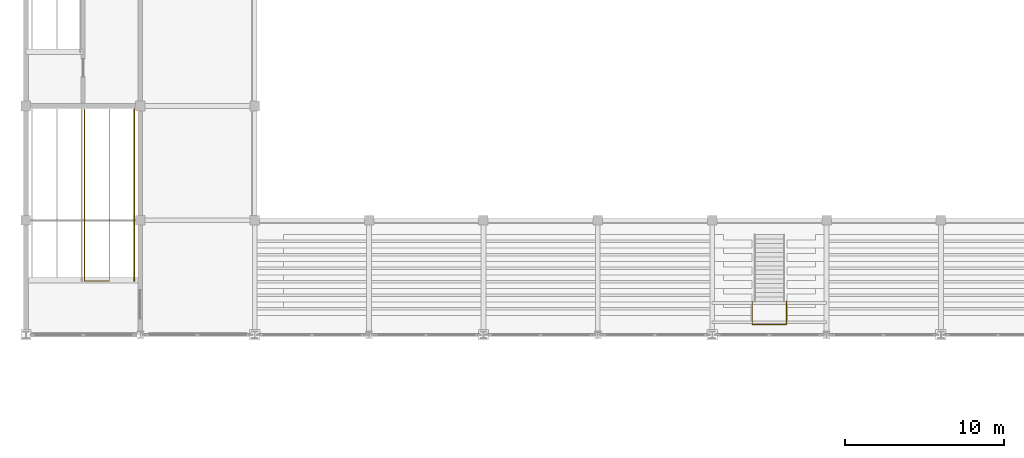
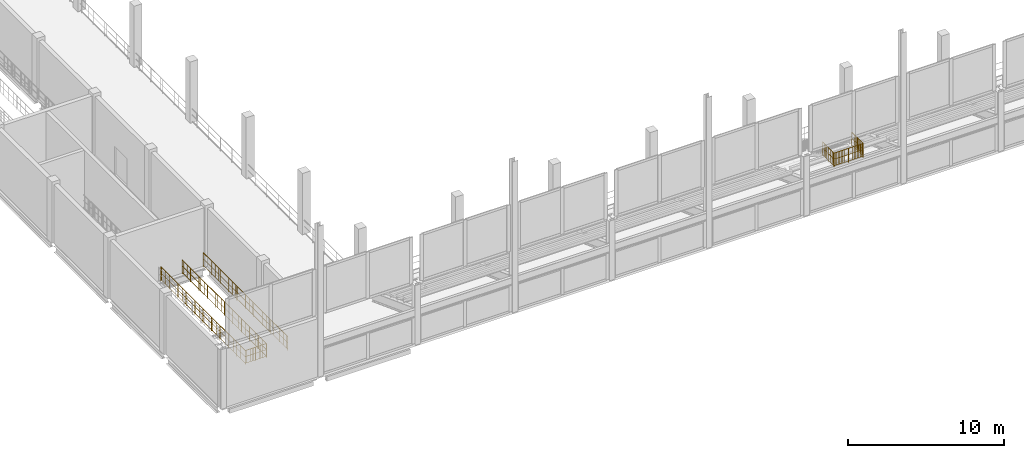
# One storey, part 104 of 120: 3 railings.
"""IFC4 building model written with IfcOpenShell, lengths in metres."""

from ifc_helpers import new_model, si_unit, direction, frame, origin, origin_2d, place, context, subcontext, project, spatial, circle, extrude, material, type_object, element, save


model = new_model("IFC4")

# Units and contexts
model_context = context("Model", 3, precision=1e-05, world=origin(), true_north=direction((0.0, 1.0)))
body_context = subcontext(model_context, "Body", "Model", "MODEL_VIEW")
ifc_project = project(units=[si_unit("LENGTHUNIT", "METRE"), si_unit("AREAUNIT", "SQUARE_METRE"), si_unit("VOLUMEUNIT", "CUBIC_METRE"), si_unit("PLANEANGLEUNIT", "RADIAN"), si_unit("MASSUNIT", "GRAM", prefix="KILO")], contexts=[model_context])

# Site, building, storey
site_placement = place(None, origin())
site = spatial("IfcSite", under=ifc_project, at=site_placement, CompositionType="ELEMENT")
building_placement = place(site_placement, origin())
building = spatial("IfcBuilding", under=site, at=building_placement, Name="Vesperath Aquatics Centre", CompositionType="ELEMENT")
storey_placement = place(building_placement, frame((0.0, 0.0, 10.199951171875)))
storey = spatial("IfcBuildingStorey", under=building, at=storey_placement, Name="L02", CompositionType="ELEMENT", Elevation=10.199951171875)

# Railings
ifc_material = material(Name="Powder-coated galvanized steel safety guard", Category="steel")
railing_type = type_object("IfcRailingType", Name="RL-GRD01", PredefinedType="GUARDRAIL", material=ifc_material)
railing_1_placement = place(storey_placement, frame((3.679931640625, 28.60009765625, 0.0)))
element("IfcRailing", 1, at=railing_1_placement, inside=storey, type_object=railing_type, Name="Stair ST10B Top Well Guard GR02 L02", PredefinedType="GUARDRAIL", context=body_context, shape_type="SweptSolid", body=[
    extrude(circle(Radius=0.02392578125, at=origin_2d()), frame((0.0, 0.0, 1.0859375), z_axis=(0.0, -1.0, 0.0), x_axis=(1.0, 0.0, 0.0)), (0.0, 0.0, 1.0), 10.820068359375),
    extrude(circle(Radius=0.01611328125, at=origin_2d()), frame((0.0, 0.0, 0.10009765625), z_axis=(0.0, -1.0, 0.0), x_axis=(1.0, 0.0, 0.0)), (0.0, 0.0, 1.0), 10.820068359375),
    extrude(circle(Radius=0.01611328125, at=origin_2d()), frame((0.0, 0.0, 0.610595703125), z_axis=(0.0, -1.0, 0.0), x_axis=(1.0, 0.0, 0.0)), (0.0, 0.0, 1.0), 10.820068359375),
    extrude(circle(Radius=0.009033203125, at=origin_2d()), frame((0.0, -0.109375, 0.10009765625)), (0.0, 0.0, 1.0), 0.9619140625),
    extrude(circle(Radius=0.009033203125, at=origin_2d()), frame((0.0, -0.54638671875, 0.10009765625)), (0.0, 0.0, 1.0), 0.9619140625),
    extrude(circle(Radius=0.009033203125, at=origin_2d()), frame((0.0, -0.983642578125, 0.10009765625)), (0.0, 0.0, 1.0), 0.9619140625),
    extrude(circle(Radius=0.009033203125, at=origin_2d()), frame((0.0, -1.4208984375, 0.10009765625)), (0.0, 0.0, 1.0), 0.9619140625),
    extrude(circle(Radius=0.009033203125, at=origin_2d()), frame((0.0, -1.85791015625, 0.10009765625)), (0.0, 0.0, 1.0), 0.9619140625),
    extrude(circle(Radius=0.009033203125, at=origin_2d()), frame((0.0, -2.295166015625, 0.10009765625)), (0.0, 0.0, 1.0), 0.9619140625),
    extrude(circle(Radius=0.009033203125, at=origin_2d()), frame((0.0, -2.732421875, 0.10009765625)), (0.0, 0.0, 1.0), 0.9619140625),
    extrude(circle(Radius=0.009033203125, at=origin_2d()), frame((0.0, -3.16943359375, 0.10009765625)), (0.0, 0.0, 1.0), 0.9619140625),
    extrude(circle(Radius=0.009033203125, at=origin_2d()), frame((0.0, -3.606689453125, 0.10009765625)), (0.0, 0.0, 1.0), 0.9619140625),
    extrude(circle(Radius=0.009033203125, at=origin_2d()), frame((0.0, -4.0439453125, 0.10009765625)), (0.0, 0.0, 1.0), 0.9619140625),
    extrude(circle(Radius=0.009033203125, at=origin_2d()), frame((0.0, -4.48095703125, 0.10009765625)), (0.0, 0.0, 1.0), 0.9619140625),
    extrude(circle(Radius=0.009033203125, at=origin_2d()), frame((0.0, -4.918212890625, 0.10009765625)), (0.0, 0.0, 1.0), 0.9619140625),
    extrude(circle(Radius=0.009033203125, at=origin_2d()), frame((0.0, -5.35546875, 0.10009765625)), (0.0, 0.0, 1.0), 0.9619140625),
    extrude(circle(Radius=0.009033203125, at=origin_2d()), frame((0.0, -5.79248046875, 0.10009765625)), (0.0, 0.0, 1.0), 0.9619140625),
    extrude(circle(Radius=0.009033203125, at=origin_2d()), frame((0.0, -6.229736328125, 0.10009765625)), (0.0, 0.0, 1.0), 0.9619140625),
    extrude(circle(Radius=0.009033203125, at=origin_2d()), frame((0.0, -6.6669921875, 0.10009765625)), (0.0, 0.0, 1.0), 0.9619140625),
    extrude(circle(Radius=0.009033203125, at=origin_2d()), frame((0.0, -7.10400390625, 0.10009765625)), (0.0, 0.0, 1.0), 0.9619140625),
    extrude(circle(Radius=0.009033203125, at=origin_2d()), frame((0.0, -7.541259765625, 0.10009765625)), (0.0, 0.0, 1.0), 0.9619140625),
    extrude(circle(Radius=0.009033203125, at=origin_2d()), frame((0.0, -7.978515625, 0.10009765625)), (0.0, 0.0, 1.0), 0.9619140625),
    extrude(circle(Radius=0.009033203125, at=origin_2d()), frame((0.0, -8.41552734375, 0.10009765625)), (0.0, 0.0, 1.0), 0.9619140625),
    extrude(circle(Radius=0.009033203125, at=origin_2d()), frame((0.0, -8.852783203125, 0.10009765625)), (0.0, 0.0, 1.0), 0.9619140625),
    extrude(circle(Radius=0.009033203125, at=origin_2d()), frame((0.0, -9.2900390625, 0.10009765625)), (0.0, 0.0, 1.0), 0.9619140625),
    extrude(circle(Radius=0.009033203125, at=origin_2d()), frame((0.0, -9.72705078125, 0.10009765625)), (0.0, 0.0, 1.0), 0.9619140625),
    extrude(circle(Radius=0.009033203125, at=origin_2d()), frame((0.0, -10.164306640625, 0.10009765625)), (0.0, 0.0, 1.0), 0.9619140625),
    extrude(circle(Radius=0.009033203125, at=origin_2d()), frame((0.0, -10.6015625, 0.10009765625)), (0.0, 0.0, 1.0), 0.9619140625),
    extrude(circle(Radius=0.02392578125, at=origin_2d()), frame((0.0, -10.820068359375, 1.0859375), z_axis=(1.0, 0.0, 0.0), x_axis=(0.0, 1.0, 0.0)), (0.0, 0.0, 1.0), 1.570068359375),
    extrude(circle(Radius=0.01611328125, at=origin_2d()), frame((0.0, -10.820068359375, 0.10009765625), z_axis=(1.0, 0.0, 0.0), x_axis=(0.0, 1.0, 0.0)), (0.0, 0.0, 1.0), 1.570068359375),
    extrude(circle(Radius=0.01611328125, at=origin_2d()), frame((0.0, -10.820068359375, 0.610595703125), z_axis=(1.0, 0.0, 0.0), x_axis=(0.0, 1.0, 0.0)), (0.0, 0.0, 1.0), 1.570068359375),
    extrude(circle(Radius=0.009033203125, at=origin_2d()), frame((0.104736328125, -10.820068359375, 0.10009765625)), (0.0, 0.0, 1.0), 0.9619140625),
    extrude(circle(Radius=0.009033203125, at=origin_2d()), frame((0.209228515625, -10.820068359375, 0.10009765625)), (0.0, 0.0, 1.0), 0.9619140625),
    extrude(circle(Radius=0.009033203125, at=origin_2d()), frame((0.31396484375, -10.820068359375, 0.10009765625)), (0.0, 0.0, 1.0), 0.9619140625),
    extrude(circle(Radius=0.009033203125, at=origin_2d()), frame((0.418701171875, -10.820068359375, 0.10009765625)), (0.0, 0.0, 1.0), 0.9619140625),
    extrude(circle(Radius=0.009033203125, at=origin_2d()), frame((0.5234375, -10.820068359375, 0.10009765625)), (0.0, 0.0, 1.0), 0.9619140625),
    extrude(circle(Radius=0.009033203125, at=origin_2d()), frame((0.6279296875, -10.820068359375, 0.10009765625)), (0.0, 0.0, 1.0), 0.9619140625),
    extrude(circle(Radius=0.009033203125, at=origin_2d()), frame((0.732666015625, -10.820068359375, 0.10009765625)), (0.0, 0.0, 1.0), 0.9619140625),
    extrude(circle(Radius=0.009033203125, at=origin_2d()), frame((0.83740234375, -10.820068359375, 0.10009765625)), (0.0, 0.0, 1.0), 0.9619140625),
    extrude(circle(Radius=0.009033203125, at=origin_2d()), frame((0.942138671875, -10.820068359375, 0.10009765625)), (0.0, 0.0, 1.0), 0.9619140625),
    extrude(circle(Radius=0.009033203125, at=origin_2d()), frame((1.046630859375, -10.820068359375, 0.10009765625)), (0.0, 0.0, 1.0), 0.9619140625),
    extrude(circle(Radius=0.009033203125, at=origin_2d()), frame((1.1513671875, -10.820068359375, 0.10009765625)), (0.0, 0.0, 1.0), 0.9619140625),
    extrude(circle(Radius=0.009033203125, at=origin_2d()), frame((1.256103515625, -10.820068359375, 0.10009765625)), (0.0, 0.0, 1.0), 0.9619140625),
    extrude(circle(Radius=0.009033203125, at=origin_2d()), frame((1.36083984375, -10.820068359375, 0.10009765625)), (0.0, 0.0, 1.0), 0.9619140625),
    extrude(circle(Radius=0.009033203125, at=origin_2d()), frame((1.46533203125, -10.820068359375, 0.10009765625)), (0.0, 0.0, 1.0), 0.9619140625),
    extrude(circle(Radius=0.02392578125, at=origin_2d()), frame((1.570068359375, -10.820068359375, 1.0859375), z_axis=(0.0, 1.0, 0.0), x_axis=(-1.0, 0.0, 0.0)), (0.0, 0.0, 1.0), 10.820068359375),
    extrude(circle(Radius=0.01611328125, at=origin_2d()), frame((1.570068359375, -10.820068359375, 0.10009765625), z_axis=(0.0, 1.0, 0.0), x_axis=(-1.0, 0.0, 0.0)), (0.0, 0.0, 1.0), 10.820068359375),
    extrude(circle(Radius=0.01611328125, at=origin_2d()), frame((1.570068359375, -10.820068359375, 0.610595703125), z_axis=(0.0, 1.0, 0.0), x_axis=(-1.0, 0.0, 0.0)), (0.0, 0.0, 1.0), 10.820068359375),
    extrude(circle(Radius=0.009033203125, at=origin_2d()), frame((1.570068359375, -10.710693359375, 0.10009765625)), (0.0, 0.0, 1.0), 0.9619140625),
    extrude(circle(Radius=0.009033203125, at=origin_2d()), frame((1.570068359375, -10.273681640625, 0.10009765625)), (0.0, 0.0, 1.0), 0.9619140625),
    extrude(circle(Radius=0.009033203125, at=origin_2d()), frame((1.570068359375, -9.83642578125, 0.10009765625)), (0.0, 0.0, 1.0), 0.9619140625),
    extrude(circle(Radius=0.009033203125, at=origin_2d()), frame((1.570068359375, -9.399169921875, 0.10009765625)), (0.0, 0.0, 1.0), 0.9619140625),
    extrude(circle(Radius=0.009033203125, at=origin_2d()), frame((1.570068359375, -8.962158203125, 0.10009765625)), (0.0, 0.0, 1.0), 0.9619140625),
    extrude(circle(Radius=0.009033203125, at=origin_2d()), frame((1.570068359375, -8.52490234375, 0.10009765625)), (0.0, 0.0, 1.0), 0.9619140625),
    extrude(circle(Radius=0.009033203125, at=origin_2d()), frame((1.570068359375, -8.087646484375, 0.10009765625)), (0.0, 0.0, 1.0), 0.9619140625),
    extrude(circle(Radius=0.009033203125, at=origin_2d()), frame((1.570068359375, -7.650634765625, 0.10009765625)), (0.0, 0.0, 1.0), 0.9619140625),
    extrude(circle(Radius=0.009033203125, at=origin_2d()), frame((1.570068359375, -7.21337890625, 0.10009765625)), (0.0, 0.0, 1.0), 0.9619140625),
    extrude(circle(Radius=0.009033203125, at=origin_2d()), frame((1.570068359375, -6.776123046875, 0.10009765625)), (0.0, 0.0, 1.0), 0.9619140625),
    extrude(circle(Radius=0.009033203125, at=origin_2d()), frame((1.570068359375, -6.339111328125, 0.10009765625)), (0.0, 0.0, 1.0), 0.9619140625),
    extrude(circle(Radius=0.009033203125, at=origin_2d()), frame((1.570068359375, -5.90185546875, 0.10009765625)), (0.0, 0.0, 1.0), 0.9619140625),
    extrude(circle(Radius=0.009033203125, at=origin_2d()), frame((1.570068359375, -5.464599609375, 0.10009765625)), (0.0, 0.0, 1.0), 0.9619140625),
    extrude(circle(Radius=0.009033203125, at=origin_2d()), frame((1.570068359375, -5.027587890625, 0.10009765625)), (0.0, 0.0, 1.0), 0.9619140625),
    extrude(circle(Radius=0.009033203125, at=origin_2d()), frame((1.570068359375, -4.59033203125, 0.10009765625)), (0.0, 0.0, 1.0), 0.9619140625),
    extrude(circle(Radius=0.009033203125, at=origin_2d()), frame((1.570068359375, -4.153076171875, 0.10009765625)), (0.0, 0.0, 1.0), 0.9619140625),
    extrude(circle(Radius=0.009033203125, at=origin_2d()), frame((1.570068359375, -3.716064453125, 0.10009765625)), (0.0, 0.0, 1.0), 0.9619140625),
    extrude(circle(Radius=0.009033203125, at=origin_2d()), frame((1.570068359375, -3.27880859375, 0.10009765625)), (0.0, 0.0, 1.0), 0.9619140625),
    extrude(circle(Radius=0.009033203125, at=origin_2d()), frame((1.570068359375, -2.841552734375, 0.10009765625)), (0.0, 0.0, 1.0), 0.9619140625),
    extrude(circle(Radius=0.009033203125, at=origin_2d()), frame((1.570068359375, -2.404541015625, 0.10009765625)), (0.0, 0.0, 1.0), 0.9619140625),
    extrude(circle(Radius=0.009033203125, at=origin_2d()), frame((1.570068359375, -1.96728515625, 0.10009765625)), (0.0, 0.0, 1.0), 0.9619140625),
    extrude(circle(Radius=0.009033203125, at=origin_2d()), frame((1.570068359375, -1.530029296875, 0.10009765625)), (0.0, 0.0, 1.0), 0.9619140625),
    extrude(circle(Radius=0.009033203125, at=origin_2d()), frame((1.570068359375, -1.093017578125, 0.10009765625)), (0.0, 0.0, 1.0), 0.9619140625),
    extrude(circle(Radius=0.009033203125, at=origin_2d()), frame((1.570068359375, -0.65576171875, 0.10009765625)), (0.0, 0.0, 1.0), 0.9619140625),
    extrude(circle(Radius=0.009033203125, at=origin_2d()), frame((1.570068359375, -0.218505859375, 0.10009765625)), (0.0, 0.0, 1.0), 0.9619140625),
    extrude(circle(Radius=0.02197265625, at=origin_2d()), origin(), (0.0, 0.0, 1.0), 1.0859375),
    extrude(circle(Radius=0.02197265625, at=origin_2d()), frame((0.0, -1.08203125, 0.0)), (0.0, 0.0, 1.0), 1.0859375),
    extrude(circle(Radius=0.02197265625, at=origin_2d()), frame((0.0, -2.1640625, 0.0)), (0.0, 0.0, 1.0), 1.0859375),
    extrude(circle(Radius=0.02197265625, at=origin_2d()), frame((0.0, -3.24609375, 0.0)), (0.0, 0.0, 1.0), 1.0859375),
    extrude(circle(Radius=0.02197265625, at=origin_2d()), frame((0.0, -4.328125, 0.0)), (0.0, 0.0, 1.0), 1.0859375),
    extrude(circle(Radius=0.02197265625, at=origin_2d()), frame((0.0, -5.41015625, 0.0)), (0.0, 0.0, 1.0), 1.0859375),
    extrude(circle(Radius=0.02197265625, at=origin_2d()), frame((0.0, -6.491943359375, 0.0)), (0.0, 0.0, 1.0), 1.0859375),
    extrude(circle(Radius=0.02197265625, at=origin_2d()), frame((0.0, -7.573974609375, 0.0)), (0.0, 0.0, 1.0), 1.0859375),
    extrude(circle(Radius=0.02197265625, at=origin_2d()), frame((0.0, -8.656005859375, 0.0)), (0.0, 0.0, 1.0), 1.0859375),
    extrude(circle(Radius=0.02197265625, at=origin_2d()), frame((0.0, -9.738037109375, 0.0)), (0.0, 0.0, 1.0), 1.0859375),
    extrude(circle(Radius=0.02197265625, at=origin_2d()), frame((0.0, -10.820068359375, 0.0)), (0.0, 0.0, 1.0), 1.0859375),
    extrude(circle(Radius=0.02197265625, at=origin_2d()), frame((0.78515625, -10.820068359375, 0.0)), (0.0, 0.0, 1.0), 1.0859375),
    extrude(circle(Radius=0.02197265625, at=origin_2d()), frame((1.570068359375, -10.820068359375, 0.0)), (0.0, 0.0, 1.0), 1.0859375),
    extrude(circle(Radius=0.02197265625, at=origin_2d()), frame((1.570068359375, -9.738037109375, 0.0)), (0.0, 0.0, 1.0), 1.0859375),
    extrude(circle(Radius=0.02197265625, at=origin_2d()), frame((1.570068359375, -8.656005859375, 0.0)), (0.0, 0.0, 1.0), 1.0859375),
    extrude(circle(Radius=0.02197265625, at=origin_2d()), frame((1.570068359375, -7.573974609375, 0.0)), (0.0, 0.0, 1.0), 1.0859375),
    extrude(circle(Radius=0.02197265625, at=origin_2d()), frame((1.570068359375, -6.491943359375, 0.0)), (0.0, 0.0, 1.0), 1.0859375),
    extrude(circle(Radius=0.02197265625, at=origin_2d()), frame((1.570068359375, -5.41015625, 0.0)), (0.0, 0.0, 1.0), 1.0859375),
    extrude(circle(Radius=0.02197265625, at=origin_2d()), frame((1.570068359375, -4.328125, 0.0)), (0.0, 0.0, 1.0), 1.0859375),
    extrude(circle(Radius=0.02197265625, at=origin_2d()), frame((1.570068359375, -3.24609375, 0.0)), (0.0, 0.0, 1.0), 1.0859375),
    extrude(circle(Radius=0.02197265625, at=origin_2d()), frame((1.570068359375, -2.1640625, 0.0)), (0.0, 0.0, 1.0), 1.0859375),
    extrude(circle(Radius=0.02197265625, at=origin_2d()), frame((1.570068359375, -1.08203125, 0.0)), (0.0, 0.0, 1.0), 1.0859375),
    extrude(circle(Radius=0.02197265625, at=origin_2d()), frame((1.570068359375, 0.0, 0.0)), (0.0, 0.0, 1.0), 1.0859375),
])
railing_2_placement = place(storey_placement, frame((6.820068359375, 17.780029296875, 0.0)))
element("IfcRailing", 2, at=railing_2_placement, inside=storey, type_object=railing_type, Name="Stair ST10B Top Side Guard GR02 L02", PredefinedType="GUARDRAIL", context=body_context, shape_type="SweptSolid", body=[
    extrude(circle(Radius=0.02392578125, at=origin_2d()), frame((0.0, 0.0, 1.0859375), z_axis=(0.0, 1.0, 0.0), x_axis=(-1.0, 0.0, 0.0)), (0.0, 0.0, 1.0), 10.820068359375),
    extrude(circle(Radius=0.01611328125, at=origin_2d()), frame((0.0, 0.0, 0.10009765625), z_axis=(0.0, 1.0, 0.0), x_axis=(-1.0, 0.0, 0.0)), (0.0, 0.0, 1.0), 10.820068359375),
    extrude(circle(Radius=0.01611328125, at=origin_2d()), frame((0.0, 0.0, 0.610595703125), z_axis=(0.0, 1.0, 0.0), x_axis=(-1.0, 0.0, 0.0)), (0.0, 0.0, 1.0), 10.820068359375),
    extrude(circle(Radius=0.009033203125, at=origin_2d()), frame((0.0, 0.109375, 0.10009765625)), (0.0, 0.0, 1.0), 0.9619140625),
    extrude(circle(Radius=0.009033203125, at=origin_2d()), frame((0.0, 0.54638671875, 0.10009765625)), (0.0, 0.0, 1.0), 0.9619140625),
    extrude(circle(Radius=0.009033203125, at=origin_2d()), frame((0.0, 0.983642578125, 0.10009765625)), (0.0, 0.0, 1.0), 0.9619140625),
    extrude(circle(Radius=0.009033203125, at=origin_2d()), frame((0.0, 1.4208984375, 0.10009765625)), (0.0, 0.0, 1.0), 0.9619140625),
    extrude(circle(Radius=0.009033203125, at=origin_2d()), frame((0.0, 1.85791015625, 0.10009765625)), (0.0, 0.0, 1.0), 0.9619140625),
    extrude(circle(Radius=0.009033203125, at=origin_2d()), frame((0.0, 2.295166015625, 0.10009765625)), (0.0, 0.0, 1.0), 0.9619140625),
    extrude(circle(Radius=0.009033203125, at=origin_2d()), frame((0.0, 2.732421875, 0.10009765625)), (0.0, 0.0, 1.0), 0.9619140625),
    extrude(circle(Radius=0.009033203125, at=origin_2d()), frame((0.0, 3.16943359375, 0.10009765625)), (0.0, 0.0, 1.0), 0.9619140625),
    extrude(circle(Radius=0.009033203125, at=origin_2d()), frame((0.0, 3.606689453125, 0.10009765625)), (0.0, 0.0, 1.0), 0.9619140625),
    extrude(circle(Radius=0.009033203125, at=origin_2d()), frame((0.0, 4.0439453125, 0.10009765625)), (0.0, 0.0, 1.0), 0.9619140625),
    extrude(circle(Radius=0.009033203125, at=origin_2d()), frame((0.0, 4.48095703125, 0.10009765625)), (0.0, 0.0, 1.0), 0.9619140625),
    extrude(circle(Radius=0.009033203125, at=origin_2d()), frame((0.0, 4.918212890625, 0.10009765625)), (0.0, 0.0, 1.0), 0.9619140625),
    extrude(circle(Radius=0.009033203125, at=origin_2d()), frame((0.0, 5.35546875, 0.10009765625)), (0.0, 0.0, 1.0), 0.9619140625),
    extrude(circle(Radius=0.009033203125, at=origin_2d()), frame((0.0, 5.79248046875, 0.10009765625)), (0.0, 0.0, 1.0), 0.9619140625),
    extrude(circle(Radius=0.009033203125, at=origin_2d()), frame((0.0, 6.229736328125, 0.10009765625)), (0.0, 0.0, 1.0), 0.9619140625),
    extrude(circle(Radius=0.009033203125, at=origin_2d()), frame((0.0, 6.6669921875, 0.10009765625)), (0.0, 0.0, 1.0), 0.9619140625),
    extrude(circle(Radius=0.009033203125, at=origin_2d()), frame((0.0, 7.10400390625, 0.10009765625)), (0.0, 0.0, 1.0), 0.9619140625),
    extrude(circle(Radius=0.009033203125, at=origin_2d()), frame((0.0, 7.541259765625, 0.10009765625)), (0.0, 0.0, 1.0), 0.9619140625),
    extrude(circle(Radius=0.009033203125, at=origin_2d()), frame((0.0, 7.978515625, 0.10009765625)), (0.0, 0.0, 1.0), 0.9619140625),
    extrude(circle(Radius=0.009033203125, at=origin_2d()), frame((0.0, 8.41552734375, 0.10009765625)), (0.0, 0.0, 1.0), 0.9619140625),
    extrude(circle(Radius=0.009033203125, at=origin_2d()), frame((0.0, 8.852783203125, 0.10009765625)), (0.0, 0.0, 1.0), 0.9619140625),
    extrude(circle(Radius=0.009033203125, at=origin_2d()), frame((0.0, 9.2900390625, 0.10009765625)), (0.0, 0.0, 1.0), 0.9619140625),
    extrude(circle(Radius=0.009033203125, at=origin_2d()), frame((0.0, 9.72705078125, 0.10009765625)), (0.0, 0.0, 1.0), 0.9619140625),
    extrude(circle(Radius=0.009033203125, at=origin_2d()), frame((0.0, 10.164306640625, 0.10009765625)), (0.0, 0.0, 1.0), 0.9619140625),
    extrude(circle(Radius=0.009033203125, at=origin_2d()), frame((0.0, 10.6015625, 0.10009765625)), (0.0, 0.0, 1.0), 0.9619140625),
    extrude(circle(Radius=0.02197265625, at=origin_2d()), origin(), (0.0, 0.0, 1.0), 1.0859375),
    extrude(circle(Radius=0.02197265625, at=origin_2d()), frame((0.0, 1.08203125, 0.0)), (0.0, 0.0, 1.0), 1.0859375),
    extrude(circle(Radius=0.02197265625, at=origin_2d()), frame((0.0, 2.1640625, 0.0)), (0.0, 0.0, 1.0), 1.0859375),
    extrude(circle(Radius=0.02197265625, at=origin_2d()), frame((0.0, 3.24609375, 0.0)), (0.0, 0.0, 1.0), 1.0859375),
    extrude(circle(Radius=0.02197265625, at=origin_2d()), frame((0.0, 4.328125, 0.0)), (0.0, 0.0, 1.0), 1.0859375),
    extrude(circle(Radius=0.02197265625, at=origin_2d()), frame((0.0, 5.41015625, 0.0)), (0.0, 0.0, 1.0), 1.0859375),
    extrude(circle(Radius=0.02197265625, at=origin_2d()), frame((0.0, 6.491943359375, 0.0)), (0.0, 0.0, 1.0), 1.0859375),
    extrude(circle(Radius=0.02197265625, at=origin_2d()), frame((0.0, 7.573974609375, 0.0)), (0.0, 0.0, 1.0), 1.0859375),
    extrude(circle(Radius=0.02197265625, at=origin_2d()), frame((0.0, 8.656005859375, 0.0)), (0.0, 0.0, 1.0), 1.0859375),
    extrude(circle(Radius=0.02197265625, at=origin_2d()), frame((0.0, 9.738037109375, 0.0)), (0.0, 0.0, 1.0), 1.0859375),
    extrude(circle(Radius=0.02197265625, at=origin_2d()), frame((0.0, 10.820068359375, 0.0)), (0.0, 0.0, 1.0), 1.0859375),
])
railing_3_placement = place(storey_placement, frame((45.719970703125, 16.5, 2.400146484375)))
element("IfcRailing", 3, at=railing_3_placement, inside=storey, type_object=railing_type, Name="Vomitory VOM-07 Top Landing Guard GR02", PredefinedType="GUARDRAIL", context=body_context, shape_type="SweptSolid", body=[
    extrude(circle(Radius=0.02392578125, at=origin_2d()), frame((0.0, 0.0, 1.0859375), z_axis=(0.0, -1.0, 0.0), x_axis=(1.0, 0.0, 0.0)), (0.0, 0.0, 1.0), 1.449951171875),
    extrude(circle(Radius=0.01611328125, at=origin_2d()), frame((0.0, 0.0, 0.10009765625), z_axis=(0.0, -1.0, 0.0), x_axis=(1.0, 0.0, 0.0)), (0.0, 0.0, 1.0), 1.449951171875),
    extrude(circle(Radius=0.01611328125, at=origin_2d()), frame((0.0, 0.0, 0.610595703125), z_axis=(0.0, -1.0, 0.0), x_axis=(1.0, 0.0, 0.0)), (0.0, 0.0, 1.0), 1.449951171875),
    extrude(circle(Radius=0.009033203125, at=origin_2d()), frame((0.0, -0.103515625, 0.10009765625)), (0.0, 0.0, 1.0), 0.9619140625),
    extrude(circle(Radius=0.009033203125, at=origin_2d()), frame((0.0, -0.20703125, 0.10009765625)), (0.0, 0.0, 1.0), 0.9619140625),
    extrude(circle(Radius=0.009033203125, at=origin_2d()), frame((0.0, -0.310791015625, 0.10009765625)), (0.0, 0.0, 1.0), 0.9619140625),
    extrude(circle(Radius=0.009033203125, at=origin_2d()), frame((0.0, -0.414306640625, 0.10009765625)), (0.0, 0.0, 1.0), 0.9619140625),
    extrude(circle(Radius=0.009033203125, at=origin_2d()), frame((0.0, -0.517822265625, 0.10009765625)), (0.0, 0.0, 1.0), 0.9619140625),
    extrude(circle(Radius=0.009033203125, at=origin_2d()), frame((0.0, -0.621337890625, 0.10009765625)), (0.0, 0.0, 1.0), 0.9619140625),
    extrude(circle(Radius=0.009033203125, at=origin_2d()), frame((0.0, -0.72509765625, 0.10009765625)), (0.0, 0.0, 1.0), 0.9619140625),
    extrude(circle(Radius=0.009033203125, at=origin_2d()), frame((0.0, -0.82861328125, 0.10009765625)), (0.0, 0.0, 1.0), 0.9619140625),
    extrude(circle(Radius=0.009033203125, at=origin_2d()), frame((0.0, -0.93212890625, 0.10009765625)), (0.0, 0.0, 1.0), 0.9619140625),
    extrude(circle(Radius=0.009033203125, at=origin_2d()), frame((0.0, -1.03564453125, 0.10009765625)), (0.0, 0.0, 1.0), 0.9619140625),
    extrude(circle(Radius=0.009033203125, at=origin_2d()), frame((0.0, -1.13916015625, 0.10009765625)), (0.0, 0.0, 1.0), 0.9619140625),
    extrude(circle(Radius=0.009033203125, at=origin_2d()), frame((0.0, -1.242919921875, 0.10009765625)), (0.0, 0.0, 1.0), 0.9619140625),
    extrude(circle(Radius=0.009033203125, at=origin_2d()), frame((0.0, -1.346435546875, 0.10009765625)), (0.0, 0.0, 1.0), 0.9619140625),
    extrude(circle(Radius=0.02392578125, at=origin_2d()), frame((0.0, -1.449951171875, 1.0859375), z_axis=(1.0, 0.0, 0.0), x_axis=(0.0, 1.0, 0.0)), (0.0, 0.0, 1.0), 2.159912109375),
    extrude(circle(Radius=0.01611328125, at=origin_2d()), frame((0.0, -1.449951171875, 0.10009765625), z_axis=(1.0, 0.0, 0.0), x_axis=(0.0, 1.0, 0.0)), (0.0, 0.0, 1.0), 2.159912109375),
    extrude(circle(Radius=0.01611328125, at=origin_2d()), frame((0.0, -1.449951171875, 0.610595703125), z_axis=(1.0, 0.0, 0.0), x_axis=(0.0, 1.0, 0.0)), (0.0, 0.0, 1.0), 2.159912109375),
    extrude(circle(Radius=0.009033203125, at=origin_2d()), frame((0.10791015625, -1.449951171875, 0.10009765625)), (0.0, 0.0, 1.0), 0.9619140625),
    extrude(circle(Radius=0.009033203125, at=origin_2d()), frame((0.216064453125, -1.449951171875, 0.10009765625)), (0.0, 0.0, 1.0), 0.9619140625),
    extrude(circle(Radius=0.009033203125, at=origin_2d()), frame((0.323974609375, -1.449951171875, 0.10009765625)), (0.0, 0.0, 1.0), 0.9619140625),
    extrude(circle(Radius=0.009033203125, at=origin_2d()), frame((0.431884765625, -1.449951171875, 0.10009765625)), (0.0, 0.0, 1.0), 0.9619140625),
    extrude(circle(Radius=0.009033203125, at=origin_2d()), frame((0.5400390625, -1.449951171875, 0.10009765625)), (0.0, 0.0, 1.0), 0.9619140625),
    extrude(circle(Radius=0.009033203125, at=origin_2d()), frame((0.64794921875, -1.449951171875, 0.10009765625)), (0.0, 0.0, 1.0), 0.9619140625),
    extrude(circle(Radius=0.009033203125, at=origin_2d()), frame((0.755859375, -1.449951171875, 0.10009765625)), (0.0, 0.0, 1.0), 0.9619140625),
    extrude(circle(Radius=0.009033203125, at=origin_2d()), frame((0.864013671875, -1.449951171875, 0.10009765625)), (0.0, 0.0, 1.0), 0.9619140625),
    extrude(circle(Radius=0.009033203125, at=origin_2d()), frame((0.971923828125, -1.449951171875, 0.10009765625)), (0.0, 0.0, 1.0), 0.9619140625),
    extrude(circle(Radius=0.009033203125, at=origin_2d()), frame((1.080078125, -1.449951171875, 0.10009765625)), (0.0, 0.0, 1.0), 0.9619140625),
    extrude(circle(Radius=0.009033203125, at=origin_2d()), frame((1.18798828125, -1.449951171875, 0.10009765625)), (0.0, 0.0, 1.0), 0.9619140625),
    extrude(circle(Radius=0.009033203125, at=origin_2d()), frame((1.2958984375, -1.449951171875, 0.10009765625)), (0.0, 0.0, 1.0), 0.9619140625),
    extrude(circle(Radius=0.009033203125, at=origin_2d()), frame((1.404052734375, -1.449951171875, 0.10009765625)), (0.0, 0.0, 1.0), 0.9619140625),
    extrude(circle(Radius=0.009033203125, at=origin_2d()), frame((1.511962890625, -1.449951171875, 0.10009765625)), (0.0, 0.0, 1.0), 0.9619140625),
    extrude(circle(Radius=0.009033203125, at=origin_2d()), frame((1.619873046875, -1.449951171875, 0.10009765625)), (0.0, 0.0, 1.0), 0.9619140625),
    extrude(circle(Radius=0.009033203125, at=origin_2d()), frame((1.72802734375, -1.449951171875, 0.10009765625)), (0.0, 0.0, 1.0), 0.9619140625),
    extrude(circle(Radius=0.009033203125, at=origin_2d()), frame((1.8359375, -1.449951171875, 0.10009765625)), (0.0, 0.0, 1.0), 0.9619140625),
    extrude(circle(Radius=0.009033203125, at=origin_2d()), frame((1.94384765625, -1.449951171875, 0.10009765625)), (0.0, 0.0, 1.0), 0.9619140625),
    extrude(circle(Radius=0.009033203125, at=origin_2d()), frame((2.052001953125, -1.449951171875, 0.10009765625)), (0.0, 0.0, 1.0), 0.9619140625),
    extrude(circle(Radius=0.02392578125, at=origin_2d()), frame((2.159912109375, -1.449951171875, 1.0859375), z_axis=(0.0, 1.0, 0.0), x_axis=(-1.0, 0.0, 0.0)), (0.0, 0.0, 1.0), 1.449951171875),
    extrude(circle(Radius=0.01611328125, at=origin_2d()), frame((2.159912109375, -1.449951171875, 0.10009765625), z_axis=(0.0, 1.0, 0.0), x_axis=(-1.0, 0.0, 0.0)), (0.0, 0.0, 1.0), 1.449951171875),
    extrude(circle(Radius=0.01611328125, at=origin_2d()), frame((2.159912109375, -1.449951171875, 0.610595703125), z_axis=(0.0, 1.0, 0.0), x_axis=(-1.0, 0.0, 0.0)), (0.0, 0.0, 1.0), 1.449951171875),
    extrude(circle(Radius=0.009033203125, at=origin_2d()), frame((2.159912109375, -1.346435546875, 0.10009765625)), (0.0, 0.0, 1.0), 0.9619140625),
    extrude(circle(Radius=0.009033203125, at=origin_2d()), frame((2.159912109375, -1.242919921875, 0.10009765625)), (0.0, 0.0, 1.0), 0.9619140625),
    extrude(circle(Radius=0.009033203125, at=origin_2d()), frame((2.159912109375, -1.13916015625, 0.10009765625)), (0.0, 0.0, 1.0), 0.9619140625),
    extrude(circle(Radius=0.009033203125, at=origin_2d()), frame((2.159912109375, -1.03564453125, 0.10009765625)), (0.0, 0.0, 1.0), 0.9619140625),
    extrude(circle(Radius=0.009033203125, at=origin_2d()), frame((2.159912109375, -0.93212890625, 0.10009765625)), (0.0, 0.0, 1.0), 0.9619140625),
    extrude(circle(Radius=0.009033203125, at=origin_2d()), frame((2.159912109375, -0.82861328125, 0.10009765625)), (0.0, 0.0, 1.0), 0.9619140625),
    extrude(circle(Radius=0.009033203125, at=origin_2d()), frame((2.159912109375, -0.72509765625, 0.10009765625)), (0.0, 0.0, 1.0), 0.9619140625),
    extrude(circle(Radius=0.009033203125, at=origin_2d()), frame((2.159912109375, -0.621337890625, 0.10009765625)), (0.0, 0.0, 1.0), 0.9619140625),
    extrude(circle(Radius=0.009033203125, at=origin_2d()), frame((2.159912109375, -0.517822265625, 0.10009765625)), (0.0, 0.0, 1.0), 0.9619140625),
    extrude(circle(Radius=0.009033203125, at=origin_2d()), frame((2.159912109375, -0.414306640625, 0.10009765625)), (0.0, 0.0, 1.0), 0.9619140625),
    extrude(circle(Radius=0.009033203125, at=origin_2d()), frame((2.159912109375, -0.310791015625, 0.10009765625)), (0.0, 0.0, 1.0), 0.9619140625),
    extrude(circle(Radius=0.009033203125, at=origin_2d()), frame((2.159912109375, -0.20703125, 0.10009765625)), (0.0, 0.0, 1.0), 0.9619140625),
    extrude(circle(Radius=0.009033203125, at=origin_2d()), frame((2.159912109375, -0.103515625, 0.10009765625)), (0.0, 0.0, 1.0), 0.9619140625),
    extrude(circle(Radius=0.02197265625, at=origin_2d()), origin(), (0.0, 0.0, 1.0), 1.0859375),
    extrude(circle(Radius=0.02197265625, at=origin_2d()), frame((0.0, -0.72509765625, 0.0)), (0.0, 0.0, 1.0), 1.0859375),
    extrude(circle(Radius=0.02197265625, at=origin_2d()), frame((0.0, -1.449951171875, 0.0)), (0.0, 0.0, 1.0), 1.0859375),
    extrude(circle(Radius=0.02197265625, at=origin_2d()), frame((1.080078125, -1.449951171875, 0.0)), (0.0, 0.0, 1.0), 1.0859375),
    extrude(circle(Radius=0.02197265625, at=origin_2d()), frame((2.159912109375, -1.449951171875, 0.0)), (0.0, 0.0, 1.0), 1.0859375),
    extrude(circle(Radius=0.02197265625, at=origin_2d()), frame((2.159912109375, -0.72509765625, 0.0)), (0.0, 0.0, 1.0), 1.0859375),
    extrude(circle(Radius=0.02197265625, at=origin_2d()), frame((2.159912109375, 0.0, 0.0)), (0.0, 0.0, 1.0), 1.0859375),
])

save(model, "model.ifc")
